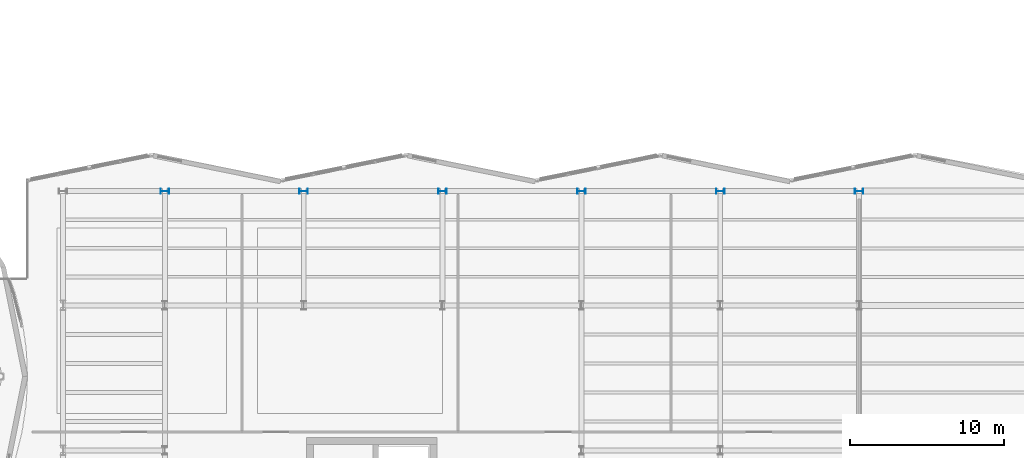
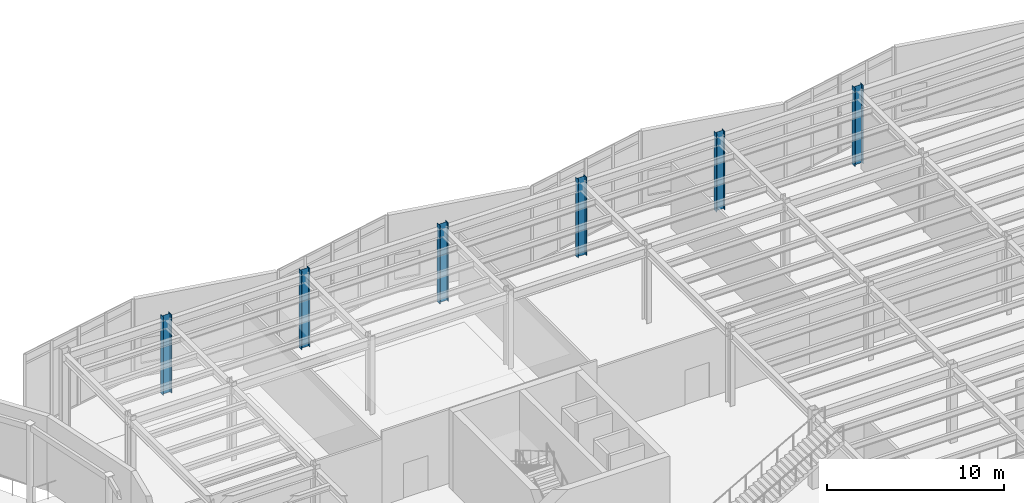
# One storey, part 13 of 98: 6 columns.
"""IFC4 building model written with IfcOpenShell, lengths in metres."""

from ifc_helpers import new_model, si_unit, direction, frame, origin, origin_2d, place, context, subcontext, project, spatial, i_section, extrude, material, material_profile, profile_set, type_object, element, save


model = new_model("IFC4")

# Units and contexts
model_context = context("Model", 3, precision=1e-05, world=origin(), true_north=direction((0.0, 1.0)))
body_context = subcontext(model_context, "Body", "Model", "MODEL_VIEW")
ifc_project = project(units=[si_unit("LENGTHUNIT", "METRE"), si_unit("AREAUNIT", "SQUARE_METRE"), si_unit("VOLUMEUNIT", "CUBIC_METRE"), si_unit("PLANEANGLEUNIT", "RADIAN"), si_unit("MASSUNIT", "GRAM", prefix="KILO")], contexts=[model_context])

# Site, building, storey
site_placement = place(None, origin())
site = spatial("IfcSite", under=ifc_project, at=site_placement, CompositionType="ELEMENT")
building_placement = place(site_placement, origin())
building = spatial("IfcBuilding", under=site, at=building_placement, Name="Sollismere Congress Hotel", CompositionType="ELEMENT")
storey_placement = place(building_placement, frame((0.0, 0.0, 5.39990234375)))
storey = spatial("IfcBuildingStorey", under=building, at=storey_placement, Name="L01", CompositionType="ELEMENT", Elevation=5.39990234375)

# Columns
ifc_material = material(Name="Steel ASTM A992 Grade 50", Category="steel")
ifc_material_profile = material_profile(ifc_material, i_section(OverallWidth=0.31494140625, OverallDepth=0.551025390625, WebThickness=0.01513671875, FlangeThickness=0.0244140625, at=origin_2d()), Name="W21X122")
ifc_profile_set = profile_set([ifc_material_profile], Name="Steel ASTM A992 Grade 50")
column_type = type_object("IfcColumnType", Name="COL-W21", PredefinedType="COLUMN", material=ifc_profile_set)
for number, where, z_axis, x_axis, name in (
    (1, (67.0, 102.39990234375, 0.0), (0.0, 0.0, 1.0), (0.0, 1.0, 0.0), "Column CL-L01-1089"),
    (2, (76.0, 102.39990234375, 0.0), (0.0, 0.0, 1.0), (0.0, 1.0, 0.0), "Column CL-L01-1095"),
    (3, (85.0, 102.39990234375, 0.0), (0.0, 0.0, 1.0), (0.0, 1.0, 0.0), "Column CL-L01-1101"),
    (4, (94.0, 102.39990234375, 0.0), (0.0, 0.0, 1.0), (0.0, 1.0, 0.0), "Column CL-L01-1107"),
    (5, (103.0, 102.39990234375, 0.0), (0.0, 0.0, 1.0), (0.0, 1.0, 0.0), "Column CL-L01-1113"),
    (6, (112.0, 102.39990234375, 0.0), (0.0, 0.0, 1.0), (0.0, 1.0, 0.0), "Column CL-L01-1119"),
):
    element("IfcColumn", number, at=place(storey_placement, frame(where, z_axis=z_axis, x_axis=x_axis)), inside=storey, type_object=column_type, Name=name, PredefinedType="COLUMN", context=body_context, shape_type="SweptSolid", body=[
        extrude(i_section(OverallWidth=0.31494140625, OverallDepth=0.551025390625, WebThickness=0.01513671875, FlangeThickness=0.0244140625, at=origin_2d()), origin(), (0.0, 0.0, 1.0), 5.400146484375),
    ])

save(model, "model.ifc")
